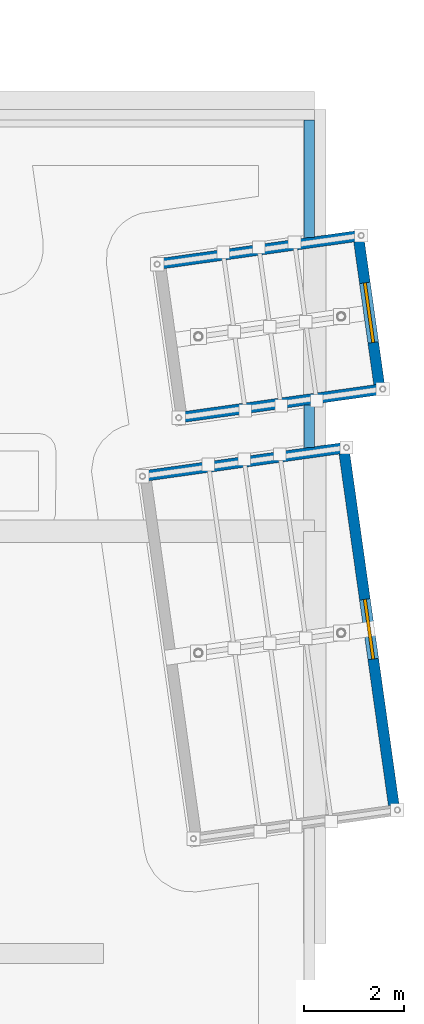
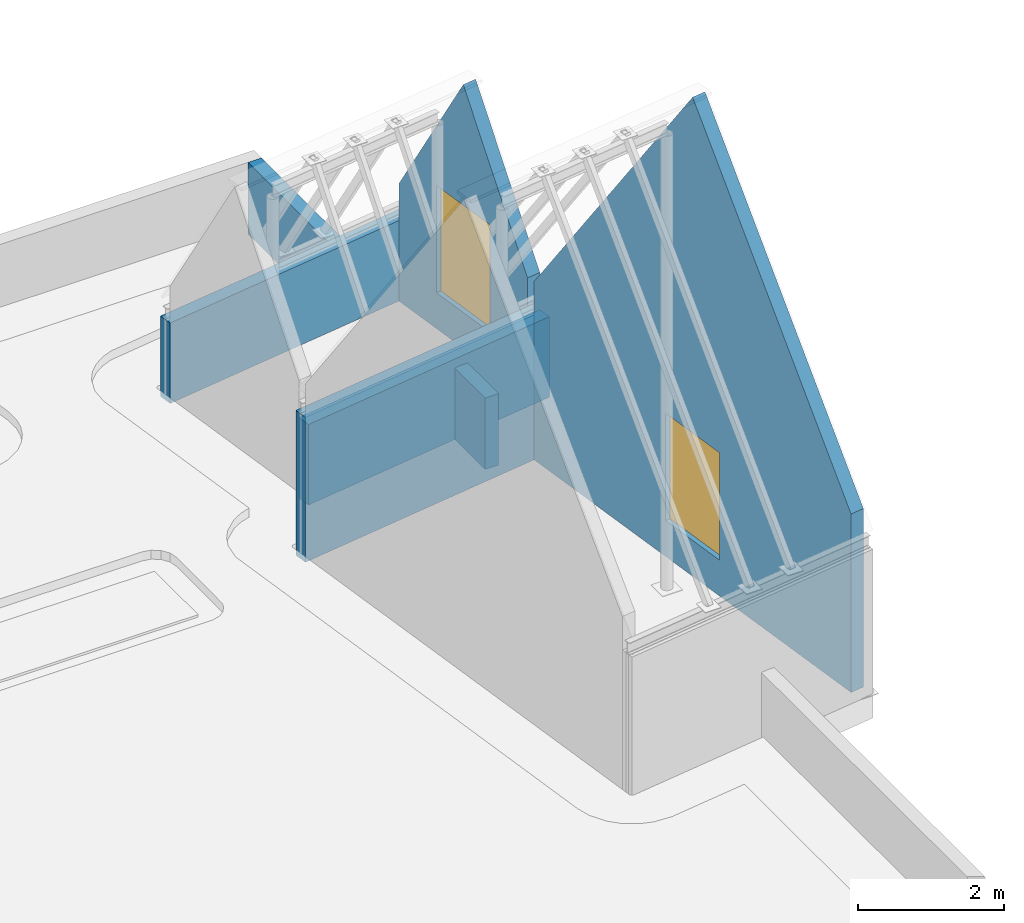
"""IFC4 building model written with IfcOpenShell, lengths in metres."""

from ifc_helpers import new_model, si_unit, direction, frame, frame_2d, origin, place, context, subcontext, project, spatial, polyline, rectangle, outline, extrude, material, layer, layer_set, type_object, element, fill, save


model = new_model("IFC4")

# Units and contexts
model_context = context("Model", 3, precision=1e-05, world=origin(), true_north=direction((0.0, 1.0)))
body_context = subcontext(model_context, "Body", "Model", "MODEL_VIEW")
ifc_project = project(units=[si_unit("LENGTHUNIT", "METRE"), si_unit("AREAUNIT", "SQUARE_METRE"), si_unit("VOLUMEUNIT", "CUBIC_METRE"), si_unit("PLANEANGLEUNIT", "RADIAN"), si_unit("MASSUNIT", "GRAM", prefix="KILO")], contexts=[model_context])

# Site, building, storey
site_placement = place(None, origin())
site = spatial("IfcSite", under=ifc_project, at=site_placement, CompositionType="ELEMENT")
building_placement = place(site_placement, origin())
building = spatial("IfcBuilding", under=site, at=building_placement, Name="Kiln Court Media Centre", CompositionType="ELEMENT")
storey_1_placement = place(building_placement, frame((0.0, 0.0, 42.60009765625)))
storey_1 = spatial("IfcBuildingStorey", under=building, at=storey_1_placement, Name="ROOF", CompositionType="ELEMENT", Elevation=42.60009765625)

# Wall, opening
ifc_material_1 = material(Name="Brick masonry facing leaf with RC backing", Category="masonry")
ifc_layer_1 = layer(ifc_material_1, 0.215087890625)
ifc_layer_set_1 = layer_set([ifc_layer_1], Name="Brick masonry crown gable wall 215")
wall_type_1 = type_object("IfcWallType", Name="Brick masonry crown gable wall 215", PredefinedType="SOLIDWALL", material=ifc_layer_set_1)
wall_1_placement = place(storey_1_placement, frame((35.173828125, 11.351318359375, 0.0), z_axis=(0.0, 0.0, 1.0), x_axis=(-0.139163297052, 0.990269446541, 0.0)))
wall_1 = element("IfcWall", 1, at=wall_1_placement, inside=storey_1, type_object=wall_type_1, Name="CROWN-4 front gable", PredefinedType="SOLIDWALL", context=body_context, shape_type="SweptSolid", body=[
    extrude(outline(polyline([(0.0, 0.0), (7.070068359375, 0.0), (7.070068359375, 2.9921875), (3.534912109375, 8.0302734375), (0.0, 2.9921875), (0.0, 0.0)])), frame((0.0, 0.107421875, 0.0), z_axis=(0.0, -1.0, 0.0), x_axis=(1.0, 0.0, 0.0)), (0.0, 0.0, 1.0), 0.215087890625),
])
opening_1_placement = place(wall_1_placement, frame((2.93505859375, 0.0, 0.60009765625)))
opening_1 = element("IfcOpeningElement", 2, at=opening_1_placement, cuts=wall_1, Name="Opening WN9004", PredefinedType="OPENING", context=body_context, shape_type="SweptSolid", body=[
    extrude(rectangle(XDim=1.199951171875, YDim=1.800048828125, at=frame_2d((0.60009765625, 0.89990234375))), frame((0.0, 0.117431640625, 0.0), z_axis=(0.0, -1.0, 0.0), x_axis=(1.0, 0.0, 0.0)), (0.0, 0.0, 1.0), 0.235107421875),
])

# Storey
storey_2_placement = place(building_placement, frame((0.0, 0.0, 38.10009765625)))
storey_2 = spatial("IfcBuildingStorey", under=building, at=storey_2_placement, Name="L08", CompositionType="ELEMENT", Elevation=38.10009765625)

# Window
ifc_material_2 = material(Name="Aluminium 6063-T6", Category="aluminium")
window_type = type_object("IfcWindowType", Name="Aluminium gable window 1200x1800", PartitioningType="SINGLE_PANEL", PredefinedType="WINDOW", material=ifc_material_2)
window_1_placement = place(opening_1_placement, origin())
window_1 = element("IfcWindow", 3, at=window_1_placement, inside=storey_2, type_object=window_type, Name="WE window WN9004", OverallHeight=1.800048828125, OverallWidth=1.199951171875, PartitioningType="SINGLE_PANEL", PredefinedType="WINDOW", context=body_context, shape_type="SweptSolid", body=[
    extrude(rectangle(XDim=1.199951171875, YDim=1.800048828125, at=frame_2d((0.60009765625, 0.89990234375))), frame((0.0, 0.030029296875, 0.0), z_axis=(0.0, -1.0, 0.0), x_axis=(1.0, 0.0, 0.0)), (0.0, 0.0, 1.0), 0.06005859375),
])

fill(opening_1, window_1)

# Wall
wall_2_placement = place(storey_1_placement, frame((30.122314453125, 17.889404296875, 0.0), z_axis=(0.0, 0.0, 1.0), x_axis=(0.990262088845, 0.139215643507, 0.0)))
element("IfcWall", 4, at=wall_2_placement, inside=storey_1, type_object=wall_type_1, Name="CROWN-4 eave wall", PredefinedType="SOLIDWALL", context=body_context, shape_type="SweptSolid", body=[
    extrude(rectangle(XDim=4.2001953125, YDim=0.215087890625, at=frame_2d((2.10009765625, 0.0))), origin(), (0.0, 0.0, 1.0), 2.429931640625),
])

# Wall, opening, window
wall_3_placement = place(storey_1_placement, frame((34.881591796875, 19.73095703125, 0.0), z_axis=(0.0, 0.0, 1.0), x_axis=(-0.139170109801, 0.990268489117, 0.0)))
wall_3 = element("IfcWall", 5, at=wall_3_placement, inside=storey_1, type_object=wall_type_1, Name="CROWN-5 front gable", PredefinedType="SOLIDWALL", context=body_context, shape_type="SweptSolid", body=[
    extrude(outline(polyline([(0.0, 0.0), (2.869873046875, 0.0), (2.8701171875, 1.970703125), (1.43505859375, 4.4208984375), (0.0, 1.970703125), (0.0, 0.0)])), frame((0.0, 0.107421875, 0.0), z_axis=(0.0, -1.0, 0.0), x_axis=(1.0, 0.0, 0.0)), (0.0, 0.0, 1.0), 0.215087890625),
])
opening_2_placement = place(wall_3_placement, frame((0.8349609375, 0.0, 0.60009765625)))
opening_2 = element("IfcOpeningElement", 6, at=opening_2_placement, cuts=wall_3, Name="Opening WN9005", PredefinedType="OPENING", context=body_context, shape_type="SweptSolid", body=[
    extrude(rectangle(XDim=1.199951171875, YDim=1.800048828125, at=frame_2d((0.60009765625, 0.89990234375))), frame((0.0, 0.117431640625, 0.0), z_axis=(0.0, -1.0, 0.0), x_axis=(1.0, 0.0, 0.0)), (0.0, 0.0, 1.0), 0.235107421875),
])
window_2_placement = place(opening_2_placement, origin())
window_2 = element("IfcWindow", 7, at=window_2_placement, inside=storey_2, type_object=window_type, Name="WE window WN9005", OverallHeight=1.800048828125, OverallWidth=1.199951171875, PartitioningType="SINGLE_PANEL", PredefinedType="WINDOW", context=body_context, shape_type="SweptSolid", body=[
    extrude(rectangle(XDim=1.199951171875, YDim=1.800048828125, at=frame_2d((0.60009765625, 0.89990234375))), frame((0.0, 0.030029296875, 0.0), z_axis=(0.0, -1.0, 0.0), x_axis=(1.0, 0.0, 0.0)), (0.0, 0.0, 1.0), 0.06005859375),
])
fill(opening_2, window_2)

# Walls
for number, where, z_axis, x_axis, name in (
    (8, (30.843994140625, 19.054931640625, 0.0), (0.0, 0.0, 1.0), (0.990268974986, 0.139166652546, 0.0), "CROWN-5 eave wall"),
    (9, (30.41455078125, 22.110107421875, 0.0), (0.0, 0.0, 1.0), (0.990268974986, 0.139166652546, 0.0), "CROWN-5 eave wall"),
):
    element("IfcWall", number, at=place(storey_1_placement, frame(where, z_axis=z_axis, x_axis=x_axis)), inside=storey_1, type_object=wall_type_1, Name=name, PredefinedType="SOLIDWALL", context=body_context, shape_type="SweptSolid", body=[
        extrude(rectangle(XDim=4.19970703125, YDim=0.215087890625, at=frame_2d((2.099853515625, 0.0))), origin(), (0.0, 0.0, 1.0), 1.349853515625),
    ])
ifc_material_3 = material(Name="Brick masonry facing leaf with RC backing", Category="masonry")
ifc_layer_2 = layer(ifc_material_3, 0.215087890625)
ifc_layer_set_2 = layer_set([ifc_layer_2], Name="Brick masonry parapet wall 215")
wall_type_2 = type_object("IfcWallType", Name="Brick masonry parapet wall 215", PredefinedType="PARAPET", material=ifc_layer_set_2)
wall_4_placement = place(storey_1_placement, frame((33.491455078125, 18.4716796875, 0.0), z_axis=(0.0, 0.0, 1.0), x_axis=(0.0, 1.0, 0.0)))
element("IfcWall", 10, at=wall_4_placement, inside=storey_1, type_object=wall_type_2, Name="V6A roof parapet 3033", PredefinedType="PARAPET", context=body_context, shape_type="SweptSolid", body=[
    extrude(rectangle(XDim=0.846923828125, YDim=0.215087890625, at=frame_2d((0.42333984375, 0.0))), origin(), (0.0, 0.0, 1.0), 1.199951171875),
])
wall_5_placement = place(storey_1_placement, frame((33.491455078125, 22.65087890625, 0.0), z_axis=(0.0, 0.0, 1.0), x_axis=(0.0, 1.0, 0.0)))
element("IfcWall", 11, at=wall_5_placement, inside=storey_1, type_object=wall_type_2, Name="V6A roof parapet 3034", PredefinedType="PARAPET", context=body_context, shape_type="SweptSolid", body=[
    extrude(rectangle(XDim=2.334228515625, YDim=0.215087890625, at=frame_2d((1.1669921875, 0.0))), origin(), (0.0, 0.0, 1.0), 1.199951171875),
])

save(model, "model.ifc")
